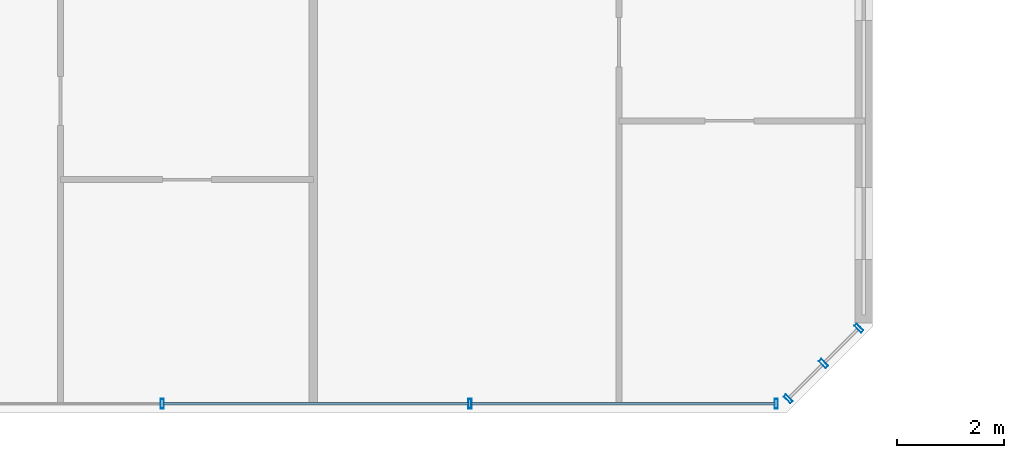
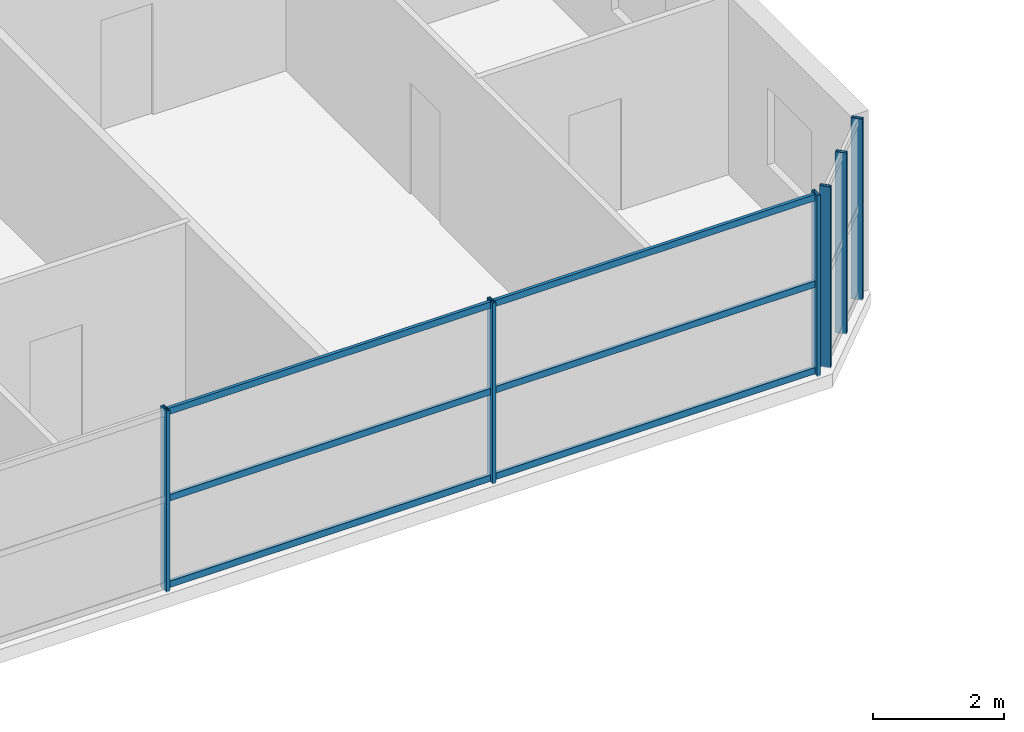
# One storey, part 6 of 21: 12 members, 2 elements without a shape of their own.
"""IFC4 building model written with IfcOpenShell, lengths in metres."""

from ifc_helpers import new_model, si_unit, direction, frame, origin, origin_2d, place, context, subcontext, project, spatial, hollow_rectangle, extrude, source, transform, mapped, material, material_profile, profile_set, type_object, element, aggregate, save


model = new_model("IFC4")

# Units and contexts
model_context = context("Model", 3, precision=1e-05, world=origin(), true_north=direction((0.0, 1.0)))
body_context = subcontext(model_context, "Body", "Model", "MODEL_VIEW")
ifc_project = project(units=[si_unit("LENGTHUNIT", "METRE"), si_unit("AREAUNIT", "SQUARE_METRE"), si_unit("VOLUMEUNIT", "CUBIC_METRE"), si_unit("PLANEANGLEUNIT", "RADIAN"), si_unit("MASSUNIT", "GRAM", prefix="KILO")], contexts=[model_context])

# Site, building, storey
site_placement = place(None, origin())
site = spatial("IfcSite", under=ifc_project, at=site_placement, CompositionType="ELEMENT")
building_placement = place(site_placement, origin())
building = spatial("IfcBuilding", under=site, at=building_placement, Name="Tlacorven Tower", CompositionType="ELEMENT")
storey_placement = place(building_placement, frame((0.0, 0.0, 222.0)))
storey = spatial("IfcBuildingStorey", under=building, at=storey_placement, Name="L56", CompositionType="ELEMENT", Elevation=222.0)

# Curtain wall, members
ifc_material_1 = material(Name="Dark solar low-E double glazing in aluminium frame", Category="aluminium")
curtain_wall_type = type_object("IfcCurtainWallType", Name="CW-TWR-HIGH", PredefinedType="USERDEFINED", material=ifc_material_1)
curtain_wall_1_placement = place(storey_placement, origin())
curtain_wall_1 = element("IfcCurtainWall", 1, at=curtain_wall_1_placement, inside=storey, type_object=curtain_wall_type, Name="L56 CW-TWR-HIGH Curtain Wall 253", ObjectType="UNITISED CURTAIN WALL", PredefinedType="USERDEFINED")
ifc_material_2 = material(Name="Aluminium 6063-T6 anodised", Category="aluminium")
ifc_material_profile_1 = material_profile(ifc_material_2, hollow_rectangle(XDim=0.06005859375, YDim=0.179931640625, WallThickness=0.00390625, at=origin_2d()), Name="ALU MULLION 60X180")
ifc_profile_set_1 = profile_set([ifc_material_profile_1], Name="Aluminium 6063-T6 anodised")
member_type_1 = type_object("IfcMemberType", Name="CWM-03", PredefinedType="MULLION", material=ifc_profile_set_1)
shared_shape_1 = source(origin(), body_context, "Body", "SweptSolid", [
    extrude(hollow_rectangle(XDim=0.06005859375, YDim=0.179931640625, WallThickness=0.00390625, at=origin_2d()), origin(), (0.0, 0.0, 1.0), 3.380126953125),
])
member_1_placement = place(storey_placement, frame((52.148193359375, 3.374267578125, -0.02001953125), z_axis=(0.0, 0.0, 1.0), x_axis=(-0.707106781187, -0.707106781187, 0.0)))
member_1 = element("IfcMember", 2, at=member_1_placement, type_object=member_type_1, Name="CW-L56-253 Mullion 1", PredefinedType="MULLION", context=body_context, shape_type="MappedRepresentation", body=[
    mapped(shared_shape_1, transform((0.0, 0.0, 0.0), scale=1.0)),
])
member_2_placement = place(storey_placement, frame((51.48681640625, 2.713134765625, -0.02001953125), z_axis=(0.0, 0.0, 1.0), x_axis=(-0.707106781187, -0.707106781187, 0.0)))
member_2 = element("IfcMember", 3, at=member_2_placement, type_object=member_type_1, Name="CW-L56-253 Mullion 2", PredefinedType="MULLION", context=body_context, shape_type="MappedRepresentation", body=[
    mapped(shared_shape_1, transform((0.0, 0.0, 0.0), scale=1.0)),
])
member_3_placement = place(storey_placement, frame((50.82568359375, 2.052001953125, -0.02001953125), z_axis=(0.0, 0.0, 1.0), x_axis=(-0.707106781187, -0.707106781187, 0.0)))
member_3 = element("IfcMember", 4, at=member_3_placement, type_object=member_type_1, Name="CW-L56-253 Mullion 3", PredefinedType="MULLION", context=body_context, shape_type="MappedRepresentation", body=[
    mapped(shared_shape_1, transform((0.0, 0.0, 0.0), scale=1.0)),
])
aggregate(curtain_wall_1, [member_1, member_2, member_3])

curtain_wall_2_placement = place(storey_placement, origin())
curtain_wall_2 = element("IfcCurtainWall", 5, at=curtain_wall_2_placement, inside=storey, type_object=curtain_wall_type, Name="L56 CW-TWR-HIGH Curtain Wall 254", ObjectType="UNITISED CURTAIN WALL", PredefinedType="USERDEFINED")
member_4_placement = place(storey_placement, frame((50.603759765625, 1.9599609375, -0.02001953125), z_axis=(0.0, 0.0, 1.0), x_axis=(-1.0, 0.0, 0.0)))
member_4 = element("IfcMember", 6, at=member_4_placement, type_object=member_type_1, Name="CW-L56-254 Mullion 1", PredefinedType="MULLION", context=body_context, shape_type="MappedRepresentation", body=[
    mapped(shared_shape_1, transform((0.0, 0.0, 0.0), scale=1.0)),
])
member_5_placement = place(storey_placement, frame((44.8779296875, 1.9599609375, -0.02001953125), z_axis=(0.0, 0.0, 1.0), x_axis=(-1.0, 0.0, 0.0)))
member_5 = element("IfcMember", 7, at=member_5_placement, type_object=member_type_1, Name="CW-L56-254 Mullion 2", PredefinedType="MULLION", context=body_context, shape_type="MappedRepresentation", body=[
    mapped(shared_shape_1, transform((0.0, 0.0, 0.0), scale=1.0)),
])
member_6_placement = place(storey_placement, frame((39.1220703125, 1.9599609375, -0.02001953125), z_axis=(0.0, 0.0, 1.0), x_axis=(-1.0, 0.0, 0.0)))
member_6 = element("IfcMember", 8, at=member_6_placement, type_object=member_type_1, Name="CW-L56-254 Mullion 3", PredefinedType="MULLION", context=body_context, shape_type="MappedRepresentation", body=[
    mapped(shared_shape_1, transform((0.0, 0.0, 0.0), scale=1.0)),
])
ifc_material_profile_2 = material_profile(ifc_material_2, hollow_rectangle(XDim=0.054931640625, YDim=0.1201171875, WallThickness=0.00341796875, at=origin_2d()), Name="ALU TRANSOM 55X120")
ifc_profile_set_2 = profile_set([ifc_material_profile_2], Name="Aluminium 6063-T6 anodised")
member_type_2 = type_object("IfcMemberType", Name="CWT-03", PredefinedType="USERDEFINED", material=ifc_profile_set_2)
shared_shape_2 = source(origin(), body_context, "Body", "SweptSolid", [
    extrude(hollow_rectangle(XDim=0.054931640625, YDim=0.1201171875, WallThickness=0.00341796875, at=origin_2d()), origin(), (0.0, 0.0, 1.0), 5.689697265625),
])
member_7_placement = place(storey_placement, frame((50.585693359375, 1.9599609375, 0.06005859375), z_axis=(-1.0, 0.0, 0.0), x_axis=(0.0, -1.0, 0.0)))
member_7 = element("IfcMember", 9, at=member_7_placement, type_object=member_type_2, Name="CW-L56-254 Transom 1", ObjectType="TRANSOM", PredefinedType="USERDEFINED", context=body_context, shape_type="MappedRepresentation", body=[
    mapped(shared_shape_2, transform((0.0, 0.0, 0.0), scale=1.0)),
])
member_8_placement = place(storey_placement, frame((50.585693359375, 1.9599609375, 1.675048828125), z_axis=(-1.0, 0.0, 0.0), x_axis=(0.0, -1.0, 0.0)))
member_8 = element("IfcMember", 10, at=member_8_placement, type_object=member_type_2, Name="CW-L56-254 Transom 2", ObjectType="TRANSOM", PredefinedType="USERDEFINED", context=body_context, shape_type="MappedRepresentation", body=[
    mapped(shared_shape_2, transform((0.0, 0.0, 0.0), scale=1.0)),
])
member_9_placement = place(storey_placement, frame((50.585693359375, 1.9599609375, 3.2900390625), z_axis=(-1.0, 0.0, 0.0), x_axis=(0.0, -1.0, 0.0)))
member_9 = element("IfcMember", 11, at=member_9_placement, type_object=member_type_2, Name="CW-L56-254 Transom 3", ObjectType="TRANSOM", PredefinedType="USERDEFINED", context=body_context, shape_type="MappedRepresentation", body=[
    mapped(shared_shape_2, transform((0.0, 0.0, 0.0), scale=1.0)),
])
shared_shape_3 = source(origin(), body_context, "Body", "SweptSolid", [
    extrude(hollow_rectangle(XDim=0.054931640625, YDim=0.1201171875, WallThickness=0.00341796875, at=origin_2d()), origin(), (0.0, 0.0, 1.0), 5.7197265625),
])
member_10_placement = place(storey_placement, frame((44.85986328125, 1.9599609375, 0.06005859375), z_axis=(-1.0, 0.0, 0.0), x_axis=(0.0, -1.0, 0.0)))
member_10 = element("IfcMember", 12, at=member_10_placement, type_object=member_type_2, Name="CW-L56-254 Transom 4", ObjectType="TRANSOM", PredefinedType="USERDEFINED", context=body_context, shape_type="MappedRepresentation", body=[
    mapped(shared_shape_3, transform((0.0, 0.0, 0.0), scale=1.0)),
])
member_11_placement = place(storey_placement, frame((44.85986328125, 1.9599609375, 1.675048828125), z_axis=(-1.0, 0.0, 0.0), x_axis=(0.0, -1.0, 0.0)))
member_11 = element("IfcMember", 13, at=member_11_placement, type_object=member_type_2, Name="CW-L56-254 Transom 5", ObjectType="TRANSOM", PredefinedType="USERDEFINED", context=body_context, shape_type="MappedRepresentation", body=[
    mapped(shared_shape_3, transform((0.0, 0.0, 0.0), scale=1.0)),
])
member_12_placement = place(storey_placement, frame((44.85986328125, 1.9599609375, 3.2900390625), z_axis=(-1.0, 0.0, 0.0), x_axis=(0.0, -1.0, 0.0)))
member_12 = element("IfcMember", 14, at=member_12_placement, type_object=member_type_2, Name="CW-L56-254 Transom 6", ObjectType="TRANSOM", PredefinedType="USERDEFINED", context=body_context, shape_type="MappedRepresentation", body=[
    mapped(shared_shape_3, transform((0.0, 0.0, 0.0), scale=1.0)),
])
aggregate(curtain_wall_2, [member_4, member_5, member_6, member_7, member_8, member_9, member_10, member_11, member_12])

save(model, "model.ifc")
